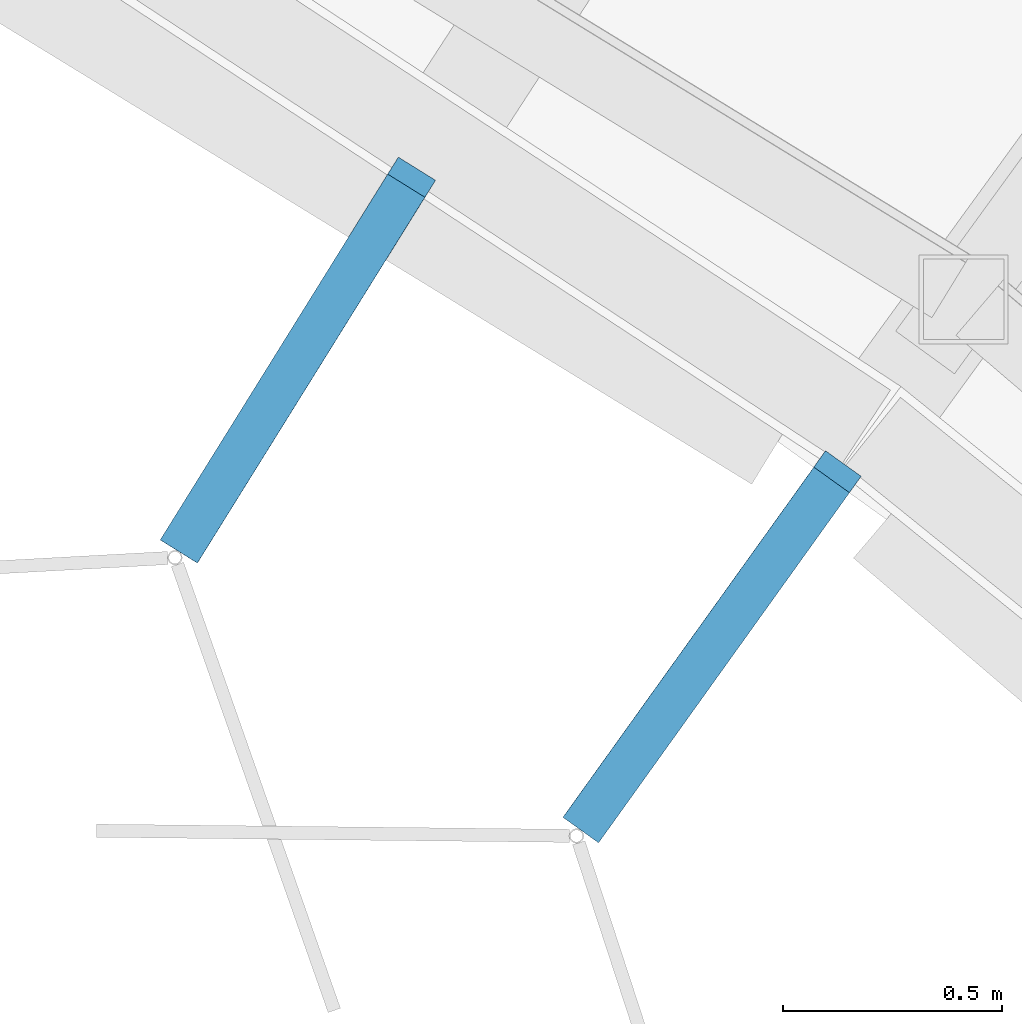
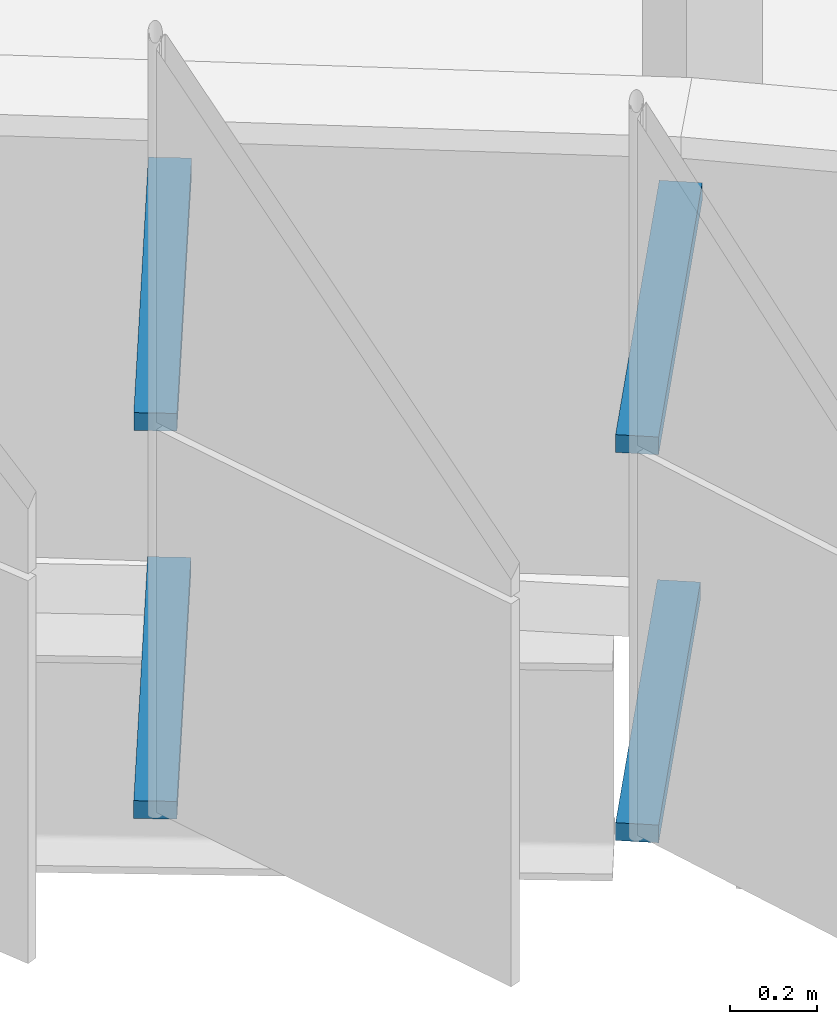
# One storey, part 265 of 483: 4 discrete accessories.
"""IFC4 building model written with IfcOpenShell, lengths in metres."""

from ifc_helpers import new_model, si_unit, direction, frame, origin, origin_2d, place, context, subcontext, project, spatial, rectangle, extrude, material, type_object, element, save


model = new_model("IFC4")

# Units and contexts
model_context = context("Model", 3, precision=1e-05, world=origin(), true_north=direction((0.0, 1.0)))
body_context = subcontext(model_context, "Body", "Model", "MODEL_VIEW")
ifc_project = project(units=[si_unit("LENGTHUNIT", "METRE"), si_unit("AREAUNIT", "SQUARE_METRE"), si_unit("VOLUMEUNIT", "CUBIC_METRE"), si_unit("PLANEANGLEUNIT", "RADIAN"), si_unit("MASSUNIT", "GRAM", prefix="KILO")], contexts=[model_context])

# Site, building, storey
site_placement = place(None, origin())
site = spatial("IfcSite", under=ifc_project, at=site_placement, CompositionType="ELEMENT")
building_placement = place(site_placement, origin())
building = spatial("IfcBuilding", under=site, at=building_placement, Name="Parallax Yard Mobility Hub", CompositionType="ELEMENT")
storey_placement = place(building_placement, frame((0.0, 0.0, 13.199951171875)))
storey = spatial("IfcBuildingStorey", under=building, at=storey_placement, Name="L04", CompositionType="ELEMENT", Elevation=13.199951171875)

# Discrete accessories
ifc_material = material(Name="Steel ASTM A36, hot-dip galvanised", Category="steel")
discrete_accessory_type = type_object("IfcDiscreteAccessoryType", Name="Hinge bracket plate 100x50", PredefinedType="BRACKET", material=ifc_material)
discrete_accessory_1_placement = place(storey_placement, frame((184.48583984375, 108.44921875, -0.02490234375), z_axis=(0.0, 0.0, 1.0), x_axis=(-0.52806785065, -0.849202181527, 0.0)))
element("IfcDiscreteAccessory", 1, at=discrete_accessory_1_placement, inside=storey, type_object=discrete_accessory_type, Name="Hinge bracket plate bay 19.6 level L04", PredefinedType="BRACKET", context=body_context, shape_type="SweptSolid", body=[
    extrude(rectangle(XDim=0.984130859375, YDim=0.10009765625, at=origin_2d()), origin(), (0.0, 0.0, 1.0), 0.050048828125),
])
discrete_accessory_2_placement = place(storey_placement, frame((184.498046875, 108.468505859375, 1.06982421875), z_axis=(0.0, 0.0, 1.0), x_axis=(-0.52806785065, -0.849202181527, 0.0)))
element("IfcDiscreteAccessory", 2, at=discrete_accessory_2_placement, inside=storey, type_object=discrete_accessory_type, Name="Hinge bracket plate bay 19.6 level L04", PredefinedType="BRACKET", context=body_context, shape_type="SweptSolid", body=[
    extrude(rectangle(XDim=1.030029296875, YDim=0.10009765625, at=origin_2d()), origin(), (0.0, 0.0, 1.0), 0.050048828125),
])
discrete_accessory_3_placement = place(storey_placement, frame((185.430908203125, 107.794921875, -0.02490234375), z_axis=(0.0, 0.0, 1.0), x_axis=(-0.582477696868, -0.812846684592, 0.0)))
element("IfcDiscreteAccessory", 3, at=discrete_accessory_3_placement, inside=storey, type_object=discrete_accessory_type, Name="Hinge bracket plate bay 20.1 level L04", PredefinedType="BRACKET", context=body_context, shape_type="SweptSolid", body=[
    extrude(rectangle(XDim=0.984130859375, YDim=0.10009765625, at=origin_2d()), origin(), (0.0, 0.0, 1.0), 0.050048828125),
])
discrete_accessory_4_placement = place(storey_placement, frame((185.444091796875, 107.813720703125, 1.06982421875), z_axis=(0.0, 0.0, 1.0), x_axis=(-0.582477696868, -0.812846684592, 0.0)))
element("IfcDiscreteAccessory", 4, at=discrete_accessory_4_placement, inside=storey, type_object=discrete_accessory_type, Name="Hinge bracket plate bay 20.1 level L04", PredefinedType="BRACKET", context=body_context, shape_type="SweptSolid", body=[
    extrude(rectangle(XDim=1.030029296875, YDim=0.10009765625, at=origin_2d()), origin(), (0.0, 0.0, 1.0), 0.050048828125),
])

save(model, "model.ifc")
